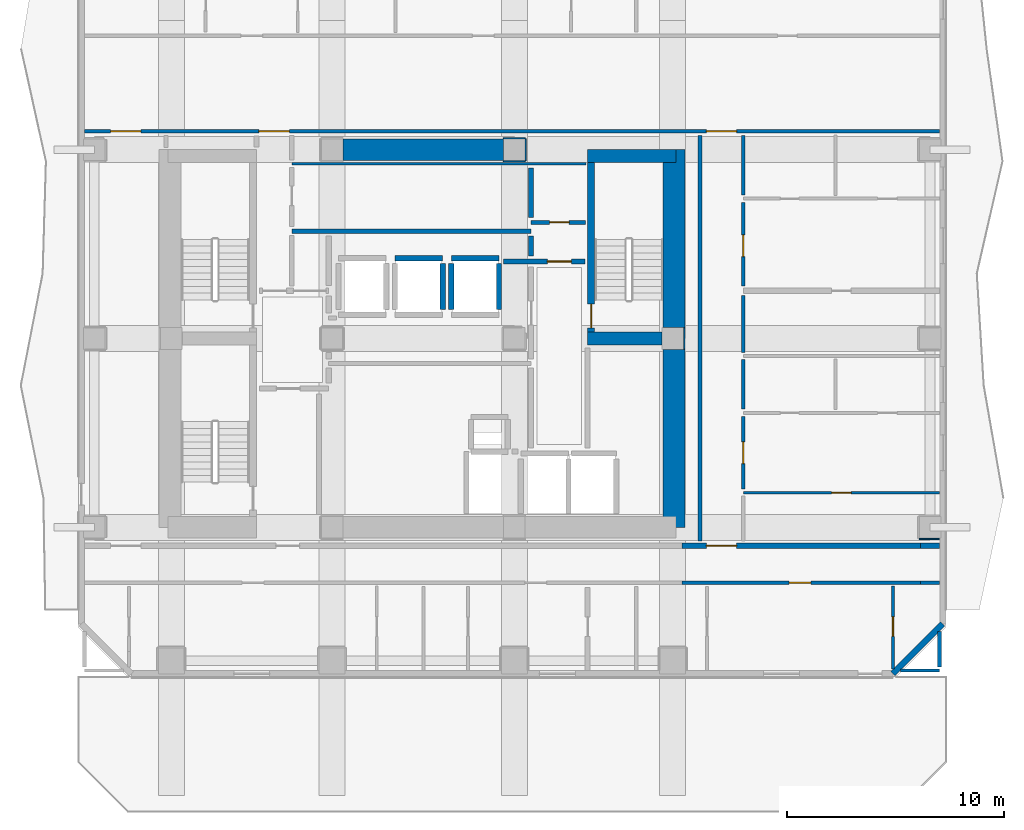
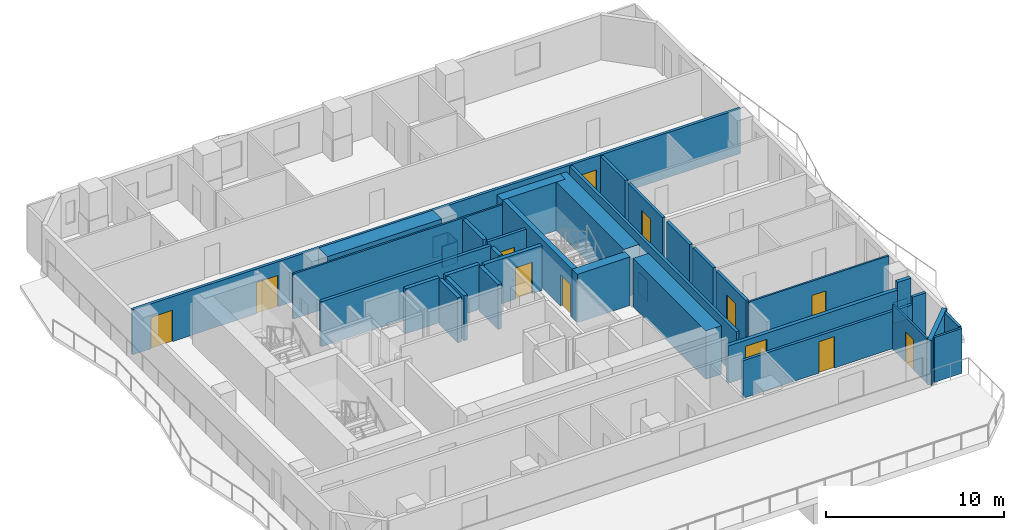
# One storey, part 4 of 9: 38 walls, 12 doors, 12 openings.
"""IFC4 building model written with IfcOpenShell, lengths in metres."""

from ifc_helpers import new_model, si_unit, direction, frame, frame_2d, origin, place, context, subcontext, project, spatial, rectangle, extrude, material, layer, layer_set, type_object, element, fill, save


model = new_model("IFC4")

# Units and contexts
model_context = context("Model", 3, precision=1e-05, world=origin(), true_north=direction((0.0, 1.0)))
body_context = subcontext(model_context, "Body", "Model", "MODEL_VIEW")
ifc_project = project(units=[si_unit("LENGTHUNIT", "METRE"), si_unit("AREAUNIT", "SQUARE_METRE"), si_unit("VOLUMEUNIT", "CUBIC_METRE"), si_unit("PLANEANGLEUNIT", "RADIAN"), si_unit("MASSUNIT", "GRAM", prefix="KILO")], contexts=[model_context])

# Site, building, storey
site_placement = place(None, origin())
site = spatial("IfcSite", under=ifc_project, at=site_placement, CompositionType="ELEMENT")
building_placement = place(site_placement, origin())
building = spatial("IfcBuilding", under=site, at=building_placement, Name="Solanera Arch Residences", CompositionType="ELEMENT")
storey_placement = place(building_placement, frame((0.0, 0.0, 145.919921875)))
storey = spatial("IfcBuildingStorey", under=building, at=storey_placement, Name="L42", CompositionType="ELEMENT", Elevation=145.919921875)

# Walls
ifc_material_1 = material(Name="Fire-Rated Gypsum Stud Partition", Category="gypsum")
ifc_layer_1 = layer(ifc_material_1, 0.06005859375)
ifc_layer_set_1 = layer_set([ifc_layer_1], Name="Fire-Rated Gypsum Stud Partition")
wall_type_1 = type_object("IfcWallType", Name="Column Acoustic Furring Wall 60", PredefinedType="PARTITIONING", material=ifc_layer_set_1)
for number, where, z_axis, x_axis, name in (
    (1, (28.699951171875, 38.867919921875, 0.0), (0.0, 0.0, 1.0), (1.0, 0.0, 0.0), "L42 Column Furring 4S"),
    (2, (28.699951171875, 39.931884765625, 0.0), (0.0, 0.0, 1.0), (1.0, 0.0, 0.0), "L42 Column Furring 4N"),
    (3, (29.73193359375, 38.89990234375, 0.0), (0.0, 0.0, 1.0), (0.0, 1.0, 0.0), "L42 Column Furring 4E"),
):
    element("IfcWall", number, at=place(storey_placement, frame(where, z_axis=z_axis, x_axis=x_axis)), inside=storey, type_object=wall_type_1, Name=name, PredefinedType="PARTITIONING", context=body_context, shape_type="SweptSolid", body=[
        extrude(rectangle(XDim=1.0, YDim=0.06005859375, at=frame_2d((0.5, 0.0))), origin(), (0.0, 0.0, 1.0), 1.4501953125),
    ])
wall_1_placement = place(storey_placement, frame((37.031982421875, 30.2099609375, 0.0), z_axis=(0.0, 0.0, 1.0), x_axis=(0.0, 1.0, 0.0)))
element("IfcWall", 4, at=wall_1_placement, inside=storey, type_object=wall_type_1, Name="L42 Column Furring 6E", PredefinedType="PARTITIONING", context=body_context, shape_type="SweptSolid", body=[
    extrude(rectangle(XDim=0.97998046875, YDim=0.06005859375, at=frame_2d((0.489990234375, 0.0))), origin(), (0.0, 0.0, 1.0), 1.4501953125),
])
wall_2_placement = place(storey_placement, frame((47.85009765625, 21.468017578125, 0.0), z_axis=(0.0, 0.0, 1.0), x_axis=(1.0, 0.0, 0.0)))
element("IfcWall", 5, at=wall_2_placement, inside=storey, type_object=wall_type_1, Name="L42 Column Furring 18S", PredefinedType="PARTITIONING", context=body_context, shape_type="SweptSolid", body=[
    extrude(rectangle(XDim=0.93994140625, YDim=0.06005859375, at=frame_2d((0.469970703125, 0.0))), origin(), (0.0, 0.0, 1.0), 1.4501953125),
])
ifc_material_2 = material(Name="Concrete C55/67 (f'c = 60 MPa)", Category="concrete")
ifc_layer_2 = layer(ifc_material_2, 1.0)
ifc_layer_set_2 = layer_set([ifc_layer_2], Name="Concrete C55/67 (f'c = 60 MPa)")
wall_type_2 = type_object("IfcWallType", Name="Core Shear Wall CW-1000", PredefinedType="SHEAR", material=ifc_layer_set_2)
wall_3_placement = place(storey_placement, frame((36.56005859375, 22.0, 0.0), z_axis=(0.0, 0.0, 1.0), x_axis=(0.0, 1.0, 0.0)))
element("IfcWall", 6, at=wall_3_placement, inside=storey, type_object=wall_type_2, Name="L42 East Core South Shear Wall", PredefinedType="SHEAR", context=body_context, shape_type="SweptSolid", body=[
    extrude(rectangle(XDim=8.195068359375, YDim=1.0, at=frame_2d((4.09765625, 0.0))), origin(), (0.0, 0.0, 1.0), 3.320068359375),
])
wall_4_placement = place(storey_placement, frame((36.56005859375, 31.205078125, 0.0), z_axis=(0.0, 0.0, 1.0), x_axis=(0.0, 1.0, 0.0)))
element("IfcWall", 7, at=wall_4_placement, inside=storey, type_object=wall_type_2, Name="L42 East Core North Shear Wall", PredefinedType="SHEAR", context=body_context, shape_type="SweptSolid", body=[
    extrude(rectangle(XDim=8.19482421875, YDim=1.0, at=frame_2d((4.097412109375, 0.0))), origin(), (0.0, 0.0, 1.0), 3.320068359375),
])
wall_5_placement = place(storey_placement, frame((21.304931640625, 39.39990234375, 0.0), z_axis=(0.0, 0.0, 1.0), x_axis=(1.0, 0.0, 0.0)))
element("IfcWall", 8, at=wall_5_placement, inside=storey, type_object=wall_type_2, Name="L42 Central North Core Shear Wall", PredefinedType="SHEAR", context=body_context, shape_type="SweptSolid", body=[
    extrude(rectangle(XDim=7.39013671875, YDim=1.0, at=frame_2d((3.695068359375, 0.0))), origin(), (0.0, 0.0, 1.0), 3.320068359375),
])

# Wall, opening, door
ifc_material_3 = material(Name="Concrete C40/50 (f'c = 45 MPa)", Category="concrete")
ifc_layer_3 = layer(ifc_material_3, 0.320068359375)
ifc_layer_set_3 = layer_set([ifc_layer_3], Name="Concrete C40/50 (f'c = 45 MPa)")
wall_type_3 = type_object("IfcWallType", Name="Core Shear Wall CW-320", PredefinedType="SHEAR", material=ifc_layer_set_3)
wall_6_placement = place(storey_placement, frame((32.739990234375, 31.0, 0.0), z_axis=(0.0, 0.0, 1.0), x_axis=(0.0, 1.0, 0.0)))
wall_6 = element("IfcWall", 9, at=wall_6_placement, inside=storey, type_object=wall_type_3, Name="L42 Stair ST-T2 West Shear Wall", PredefinedType="SHEAR", context=body_context, shape_type="SweptSolid", body=[
    extrude(rectangle(XDim=7.800048828125, YDim=0.320068359375, at=frame_2d((3.89990234375, 0.0))), origin(), (0.0, 0.0, 1.0), 3.320068359375),
])
opening_1_placement = place(wall_6_placement, frame((0.18994140625, 0.0, 0.0)))
opening_1 = element("IfcOpeningElement", 10, at=opening_1_placement, cuts=wall_6, Name="Opening DF-01", PredefinedType="OPENING", context=body_context, shape_type="SweptSolid", body=[
    extrude(rectangle(XDim=1.10009765625, YDim=2.14990234375, at=frame_2d((0.550048828125, 1.074951171875))), frame((0.0, 0.169921875, 0.0), z_axis=(0.0, -1.0, 0.0), x_axis=(1.0, 0.0, 0.0)), (0.0, 0.0, 1.0), 0.3401),
])
ifc_material_4 = material(Name="Fire-Rated Architectural Hardwood", Category="wood")
door_type_1 = type_object("IfcDoorType", Name="Stair Exit Fire Door DF-01", OperationType="NOTDEFINED", PredefinedType="DOOR", material=ifc_material_4)
door_1_placement = place(opening_1_placement, origin())
door_1 = element("IfcDoor", 11, at=door_1_placement, inside=storey, type_object=door_type_1, Name="DR-L42-STAIR-ST-T2", OperationType="SINGLE_SWING_LEFT", OverallHeight=2.14990234375, OverallWidth=1.10009765625, PredefinedType="DOOR", context=body_context, shape_type="SweptSolid", body=[
    extrude(rectangle(XDim=1.10009765625, YDim=2.14990234375, at=frame_2d((0.550048828125, 1.074951171875))), frame((0.0, 0.02490234375, 0.0), z_axis=(0.0, -1.0, 0.0), x_axis=(1.0, 0.0, 0.0)), (0.0, 0.0, 1.0), 0.050048828125),
])
fill(opening_1, door_1)

# Walls
ifc_material_5 = material(Name="Concrete C40/50 (f'c = 45 MPa)", Category="concrete")
ifc_layer_4 = layer(ifc_material_5, 0.60009765625)
ifc_layer_set_4 = layer_set([ifc_layer_4], Name="Concrete C40/50 (f'c = 45 MPa)")
wall_type_4 = type_object("IfcWallType", Name="Core Shear Wall CW-600", PredefinedType="SHEAR", material=ifc_layer_set_4)
wall_7_placement = place(storey_placement, frame((32.580078125, 39.10009765625, 0.0), z_axis=(0.0, 0.0, 1.0), x_axis=(1.0, 0.0, 0.0)))
element("IfcWall", 12, at=wall_7_placement, inside=storey, type_object=wall_type_4, Name="L42 North-East Core Shear Wall", PredefinedType="SHEAR", context=body_context, shape_type="SweptSolid", body=[
    extrude(rectangle(XDim=4.079833984375, YDim=0.60009765625, at=frame_2d((2.0400390625, 0.0))), origin(), (0.0, 0.0, 1.0), 3.320068359375),
])
wall_8_placement = place(storey_placement, frame((32.580078125, 30.699951171875, 0.0), z_axis=(0.0, 0.0, 1.0), x_axis=(1.0, 0.0, 0.0)))
element("IfcWall", 13, at=wall_8_placement, inside=storey, type_object=wall_type_4, Name="L42 East Stair Far-Landing Shear Wall", PredefinedType="SHEAR", context=body_context, shape_type="SweptSolid", body=[
    extrude(rectangle(XDim=3.4150390625, YDim=0.60009765625, at=frame_2d((1.70751953125, 0.0))), origin(), (0.0, 0.0, 1.0), 3.320068359375),
])

# Wall, opening, door
ifc_material_6 = material(Name="Autoclaved Aerated Concrete Blockwork", Category="masonry")
ifc_layer_5 = layer(ifc_material_6, 0.179931640625)
ifc_layer_set_5 = layer_set([ifc_layer_5], Name="Autoclaved Aerated Concrete Blockwork")
wall_type_5 = type_object("IfcWallType", Name="Corridor Fire Partition 180", PredefinedType="PARTITIONING", material=ifc_layer_set_5)
wall_9_placement = place(storey_placement, frame((36.93896484375, 19.449951171875, 0.0), z_axis=(0.0, 0.0, 1.0), x_axis=(1.0, 0.0, 0.0)))
wall_9 = element("IfcWall", 14, at=wall_9_placement, inside=storey, type_object=wall_type_5, Name="L42 Interior Partition H8 2", PredefinedType="PARTITIONING", context=body_context, shape_type="SweptSolid", body=[
    extrude(rectangle(XDim=10.971923828125, YDim=0.179931640625, at=frame_2d((5.48583984375, 0.0))), origin(), (0.0, 0.0, 1.0), 2.565185546875),
])
opening_2_placement = place(wall_9_placement, frame((4.926025390625, 0.0, 0.0)))
opening_2 = element("IfcOpeningElement", 15, at=opening_2_placement, cuts=wall_9, Name="Opening DI-01", PredefinedType="OPENING", context=body_context, shape_type="SweptSolid", body=[
    extrude(rectangle(XDim=1.0, YDim=2.14990234375, at=frame_2d((0.5, 1.074951171875))), frame((0.0, 0.10009765625, 0.0), z_axis=(0.0, -1.0, 0.0), x_axis=(1.0, 0.0, 0.0)), (0.0, 0.0, 1.0), 0.1999),
])
ifc_material_7 = material(Name="Fire-Rated Architectural Hardwood", Category="wood")
door_type_2 = type_object("IfcDoorType", Name="Unit Entrance Fire Door DI-01", OperationType="NOTDEFINED", PredefinedType="DOOR", material=ifc_material_7)
door_2_placement = place(opening_2_placement, origin())
door_2 = element("IfcDoor", 16, at=door_2_placement, inside=storey, type_object=door_type_2, Name="DR-L42-IN-023", OperationType="SINGLE_SWING_RIGHT", OverallHeight=2.14990234375, OverallWidth=1.0, PredefinedType="DOOR", context=body_context, shape_type="SweptSolid", body=[
    extrude(rectangle(XDim=1.0, YDim=2.14990234375, at=frame_2d((0.5, 1.074951171875))), frame((0.0, 0.02490234375, 0.0), z_axis=(0.0, -1.0, 0.0), x_axis=(1.0, 0.0, 0.0)), (0.0, 0.0, 1.0), 0.050048828125),
])
fill(opening_2, door_2)

# Wall
wall_10_placement = place(storey_placement, frame((47.910888671875, 19.449951171875, 0.0), z_axis=(0.0, 0.0, 1.0), x_axis=(1.0, 0.0, 0.0)))
element("IfcWall", 17, at=wall_10_placement, inside=storey, type_object=wall_type_5, Name="L42 Interior Partition H8 3", PredefinedType="PARTITIONING", context=body_context, shape_type="SweptSolid", body=[
    extrude(rectangle(XDim=0.882080078125, YDim=0.179931640625, at=frame_2d((0.44091796875, 0.0))), origin(), (0.0, 0.0, 1.0), 3.080078125),
])

# Wall, opening, door
wall_11_placement = place(storey_placement, frame((29.97509765625, 36.050048828125, 0.0), z_axis=(0.0, 0.0, 1.0), x_axis=(1.0, 0.0, 0.0)))
wall_11 = element("IfcWall", 18, at=wall_11_placement, inside=storey, type_object=wall_type_5, Name="L42 Interior Partition H11", PredefinedType="PARTITIONING", context=body_context, shape_type="SweptSolid", body=[
    extrude(rectangle(XDim=2.5048828125, YDim=0.179931640625, at=frame_2d((1.25244140625, 0.0))), origin(), (0.0, 0.0, 1.0), 3.080078125),
])
opening_3_placement = place(wall_11_placement, frame((0.85205078125, 0.0, 0.0)))
opening_3 = element("IfcOpeningElement", 19, at=opening_3_placement, cuts=wall_11, Name="Opening DI-02", PredefinedType="OPENING", context=body_context, shape_type="SweptSolid", body=[
    extrude(rectangle(XDim=0.89990234375, YDim=2.10009765625, at=frame_2d((0.449951171875, 1.050048828125))), frame((0.0, 0.10009765625, 0.0), z_axis=(0.0, -1.0, 0.0), x_axis=(1.0, 0.0, 0.0)), (0.0, 0.0, 1.0), 0.1999),
])
ifc_material_8 = material(Name="Fire-Rated Architectural Hardwood", Category="wood")
door_type_3 = type_object("IfcDoorType", Name="Suite Room Swing Door DI-02", OperationType="NOTDEFINED", PredefinedType="DOOR", material=ifc_material_8)
door_3_placement = place(opening_3_placement, origin())
door_3 = element("IfcDoor", 20, at=door_3_placement, inside=storey, type_object=door_type_3, Name="DR-L42-IN-015", OperationType="SINGLE_SWING_RIGHT", OverallHeight=2.10009765625, OverallWidth=0.89990234375, PredefinedType="DOOR", context=body_context, shape_type="SweptSolid", body=[
    extrude(rectangle(XDim=0.89990234375, YDim=2.10009765625, at=frame_2d((0.449951171875, 1.050048828125))), frame((0.0, 0.02490234375, 0.0), z_axis=(0.0, -1.0, 0.0), x_axis=(1.0, 0.0, 0.0)), (0.0, 0.0, 1.0), 0.050048828125),
])
fill(opening_3, door_3)

# Wall, openings, doors
wall_12_placement = place(storey_placement, frame((9.406982421875, 40.25, 0.0), z_axis=(0.0, 0.0, 1.0), x_axis=(1.0, 0.0, 0.0)))
wall_12 = element("IfcWall", 21, at=wall_12_placement, inside=storey, type_object=wall_type_5, Name="L42 Interior Partition H12", PredefinedType="PARTITIONING", context=body_context, shape_type="SweptSolid", body=[
    extrude(rectangle(XDim=39.385986328125, YDim=0.179931640625, at=frame_2d((19.69287109375, 0.0))), origin(), (0.0, 0.0, 1.0), 3.080078125),
])
opening_4_placement = place(wall_12_placement, frame((8.028076171875, 0.0, 0.0)))
opening_4 = element("IfcOpeningElement", 22, at=opening_4_placement, cuts=wall_12, Name="Opening DF-03", PredefinedType="OPENING", context=body_context, shape_type="SweptSolid", body=[
    extrude(rectangle(XDim=1.39990234375, YDim=2.14990234375, at=frame_2d((0.699951171875, 1.074951171875))), frame((0.0, 0.10009765625, 0.0), z_axis=(0.0, -1.0, 0.0), x_axis=(1.0, 0.0, 0.0)), (0.0, 0.0, 1.0), 0.1999),
])
opening_5_placement = place(wall_12_placement, frame((1.19189453125, 0.0, 0.0)))
opening_5 = element("IfcOpeningElement", 23, at=opening_5_placement, cuts=wall_12, Name="Opening DF-03", PredefinedType="OPENING", context=body_context, shape_type="SweptSolid", body=[
    extrude(rectangle(XDim=1.39990234375, YDim=2.14990234375, at=frame_2d((0.699951171875, 1.074951171875))), frame((0.0, 0.10009765625, 0.0), z_axis=(0.0, -1.0, 0.0), x_axis=(1.0, 0.0, 0.0)), (0.0, 0.0, 1.0), 0.1999),
])
opening_6_placement = place(wall_12_placement, frame((28.64306640625, 0.0, 0.0)))
opening_6 = element("IfcOpeningElement", 24, at=opening_6_placement, cuts=wall_12, Name="Opening DF-03", PredefinedType="OPENING", context=body_context, shape_type="SweptSolid", body=[
    extrude(rectangle(XDim=1.39990234375, YDim=2.14990234375, at=frame_2d((0.699951171875, 1.074951171875))), frame((0.0, 0.10009765625, 0.0), z_axis=(0.0, -1.0, 0.0), x_axis=(1.0, 0.0, 0.0)), (0.0, 0.0, 1.0), 0.1999),
])
ifc_material_9 = material(Name="Fire-Rated Architectural Hardwood", Category="wood")
door_type_4 = type_object("IfcDoorType", Name="Corridor Smoke Door DF-03", OperationType="NOTDEFINED", PredefinedType="DOOR", material=ifc_material_9)
door_4_placement = place(opening_4_placement, origin())
door_4 = element("IfcDoor", 25, at=door_4_placement, inside=storey, type_object=door_type_4, Name="DR-L42-IN-009", OperationType="SINGLE_SWING_RIGHT", OverallHeight=2.14990234375, OverallWidth=1.39990234375, PredefinedType="DOOR", context=body_context, shape_type="SweptSolid", body=[
    extrude(rectangle(XDim=1.39990234375, YDim=2.14990234375, at=frame_2d((0.699951171875, 1.074951171875))), frame((0.0, 0.02490234375, 0.0), z_axis=(0.0, -1.0, 0.0), x_axis=(1.0, 0.0, 0.0)), (0.0, 0.0, 1.0), 0.050048828125),
])
fill(opening_4, door_4)
door_5_placement = place(opening_5_placement, origin())
door_5 = element("IfcDoor", 26, at=door_5_placement, inside=storey, type_object=door_type_4, Name="DR-L42-IN-012", OperationType="SINGLE_SWING_LEFT", OverallHeight=2.14990234375, OverallWidth=1.39990234375, PredefinedType="DOOR", context=body_context, shape_type="SweptSolid", body=[
    extrude(rectangle(XDim=1.39990234375, YDim=2.14990234375, at=frame_2d((0.699951171875, 1.074951171875))), frame((0.0, 0.02490234375, 0.0), z_axis=(0.0, -1.0, 0.0), x_axis=(1.0, 0.0, 0.0)), (0.0, 0.0, 1.0), 0.050048828125),
])
fill(opening_5, door_5)
door_6_placement = place(opening_6_placement, origin())
door_6 = element("IfcDoor", 27, at=door_6_placement, inside=storey, type_object=door_type_4, Name="DR-L42-IN-013", OperationType="SINGLE_SWING_RIGHT", OverallHeight=2.14990234375, OverallWidth=1.39990234375, PredefinedType="DOOR", context=body_context, shape_type="SweptSolid", body=[
    extrude(rectangle(XDim=1.39990234375, YDim=2.14990234375, at=frame_2d((0.699951171875, 1.074951171875))), frame((0.0, 0.02490234375, 0.0), z_axis=(0.0, -1.0, 0.0), x_axis=(1.0, 0.0, 0.0)), (0.0, 0.0, 1.0), 0.050048828125),
])
fill(opening_6, door_6)

# Wall
wall_13_placement = place(storey_placement, frame((37.75, 21.367919921875, 0.0), z_axis=(0.0, 0.0, 1.0), x_axis=(0.0, 1.0, 0.0)))
element("IfcWall", 28, at=wall_13_placement, inside=storey, type_object=wall_type_5, Name="L42 Interior Partition V11", PredefinedType="PARTITIONING", context=body_context, shape_type="SweptSolid", body=[
    extrude(rectangle(XDim=18.694091796875, YDim=0.179931640625, at=frame_2d((9.34716796875, 0.0))), origin(), (0.0, 0.0, 1.0), 3.080078125),
])

# Wall, opening, door
wall_14_placement = place(storey_placement, frame((39.75, 23.758056640625, 0.0), z_axis=(0.0, 0.0, 1.0), x_axis=(0.0, 1.0, 0.0)))
wall_14 = element("IfcWall", 29, at=wall_14_placement, inside=storey, type_object=wall_type_5, Name="L42 Interior Partition V12 2", PredefinedType="PARTITIONING", context=body_context, shape_type="SweptSolid", body=[
    extrude(rectangle(XDim=3.348876953125, YDim=0.179931640625, at=frame_2d((1.67431640625, 0.0))), origin(), (0.0, 0.0, 1.0), 3.080078125),
])
opening_7_placement = place(wall_14_placement, frame((1.179931640625, 0.0, 0.0)))
opening_7 = element("IfcOpeningElement", 30, at=opening_7_placement, cuts=wall_14, Name="Opening DI-01", PredefinedType="OPENING", context=body_context, shape_type="SweptSolid", body=[
    extrude(rectangle(XDim=1.0, YDim=2.14990234375, at=frame_2d((0.5, 1.074951171875))), frame((0.0, 0.10009765625, 0.0), z_axis=(0.0, -1.0, 0.0), x_axis=(1.0, 0.0, 0.0)), (0.0, 0.0, 1.0), 0.1999),
])
door_7_placement = place(opening_7_placement, origin())
door_7 = element("IfcDoor", 31, at=door_7_placement, inside=storey, type_object=door_type_2, Name="DR-L42-IN-035", OperationType="SINGLE_SWING_RIGHT", OverallHeight=2.14990234375, OverallWidth=1.0, PredefinedType="DOOR", context=body_context, shape_type="SweptSolid", body=[
    extrude(rectangle(XDim=1.0, YDim=2.14990234375, at=frame_2d((0.5, 1.074951171875))), frame((0.0, 0.02490234375, 0.0), z_axis=(0.0, -1.0, 0.0), x_axis=(1.0, 0.0, 0.0)), (0.0, 0.0, 1.0), 0.050048828125),
])
fill(opening_7, door_7)

# Walls
wall_15_placement = place(storey_placement, frame((39.75, 27.443115234375, 0.0), z_axis=(0.0, 0.0, 1.0), x_axis=(0.0, 1.0, 0.0)))
element("IfcWall", 32, at=wall_15_placement, inside=storey, type_object=wall_type_5, Name="L42 Interior Partition V12 3", PredefinedType="PARTITIONING", context=body_context, shape_type="SweptSolid", body=[
    extrude(rectangle(XDim=2.288818359375, YDim=0.179931640625, at=frame_2d((1.14453125, 0.0))), origin(), (0.0, 0.0, 1.0), 3.080078125),
])
wall_16_placement = place(storey_placement, frame((39.75, 30.068115234375, 0.0), z_axis=(0.0, 0.0, 1.0), x_axis=(0.0, 1.0, 0.0)))
element("IfcWall", 33, at=wall_16_placement, inside=storey, type_object=wall_type_5, Name="L42 Interior Partition V12 4", PredefinedType="PARTITIONING", context=body_context, shape_type="SweptSolid", body=[
    extrude(rectangle(XDim=2.61376953125, YDim=0.179931640625, at=frame_2d((1.306884765625, 0.0))), origin(), (0.0, 0.0, 1.0), 3.080078125),
])

# Wall, opening, door
wall_17_placement = place(storey_placement, frame((39.75, 33.117919921875, 0.0), z_axis=(0.0, 0.0, 1.0), x_axis=(0.0, 1.0, 0.0)))
wall_17 = element("IfcWall", 34, at=wall_17_placement, inside=storey, type_object=wall_type_5, Name="L42 Interior Partition V12 5", PredefinedType="PARTITIONING", context=body_context, shape_type="SweptSolid", body=[
    extrude(rectangle(XDim=3.859130859375, YDim=0.179931640625, at=frame_2d((1.9296875, 0.0))), origin(), (0.0, 0.0, 1.0), 3.080078125),
])
opening_8_placement = place(wall_17_placement, frame((1.35400390625, 0.0, 0.0)))
opening_8 = element("IfcOpeningElement", 35, at=opening_8_placement, cuts=wall_17, Name="Opening DI-01", PredefinedType="OPENING", context=body_context, shape_type="SweptSolid", body=[
    extrude(rectangle(XDim=1.0, YDim=2.14990234375, at=frame_2d((0.5, 1.074951171875))), frame((0.0, 0.10009765625, 0.0), z_axis=(0.0, -1.0, 0.0), x_axis=(1.0, 0.0, 0.0)), (0.0, 0.0, 1.0), 0.1999),
])
door_8_placement = place(opening_8_placement, origin())
door_8 = element("IfcDoor", 36, at=door_8_placement, inside=storey, type_object=door_type_2, Name="DR-L42-IN-039", OperationType="SINGLE_SWING_RIGHT", OverallHeight=2.14990234375, OverallWidth=1.0, PredefinedType="DOOR", context=body_context, shape_type="SweptSolid", body=[
    extrude(rectangle(XDim=1.0, YDim=2.14990234375, at=frame_2d((0.5, 1.074951171875))), frame((0.0, 0.02490234375, 0.0), z_axis=(0.0, -1.0, 0.0), x_axis=(1.0, 0.0, 0.0)), (0.0, 0.0, 1.0), 0.050048828125),
])
fill(opening_8, door_8)

# Walls
wall_18_placement = place(storey_placement, frame((39.75, 37.31298828125, 0.0), z_axis=(0.0, 0.0, 1.0), x_axis=(0.0, 1.0, 0.0)))
element("IfcWall", 37, at=wall_18_placement, inside=storey, type_object=wall_type_5, Name="L42 Interior Partition V12 6", PredefinedType="PARTITIONING", context=body_context, shape_type="SweptSolid", body=[
    extrude(rectangle(XDim=2.7490234375, YDim=0.179931640625, at=frame_2d((1.37451171875, 0.0))), origin(), (0.0, 0.0, 1.0), 3.080078125),
])
wall_19_placement = place(storey_placement, frame((48.800048828125, 15.568115234375, 0.0), z_axis=(0.0, 0.0, 1.0), x_axis=(0.0, 1.0, 0.0)))
element("IfcWall", 38, at=wall_19_placement, inside=storey, type_object=wall_type_5, Name="L42 Interior Partition V13 1", PredefinedType="PARTITIONING", context=body_context, shape_type="SweptSolid", body=[
    extrude(rectangle(XDim=1.626953125, YDim=0.179931640625, at=frame_2d((0.8134765625, 0.0))), origin(), (0.0, 0.0, 1.0), 3.080078125),
])
ifc_material_10 = material(Name="Precast Concrete C35/45", Category="concrete")
ifc_layer_6 = layer(ifc_material_10, 0.280029296875)
ifc_layer_set_6 = layer_set([ifc_layer_6], Name="Precast Concrete C35/45")
wall_type_6 = type_object("IfcWallType", Name="Exterior Wall Precast Masonry-Frame 280", PredefinedType="STANDARD", material=ifc_layer_set_6)
wall_20_placement = place(storey_placement, frame((48.945068359375, 17.554931640625, 0.0), z_axis=(0.0, 0.0, 1.0), x_axis=(-0.707106781187, -0.707106781187, 0.0)))
element("IfcWall", 39, at=wall_20_placement, inside=storey, type_object=wall_type_6, Name="L42 Tower Exterior Precast Masonry-Frame Wall CH5", PredefinedType="STANDARD", context=body_context, shape_type="SweptSolid", body=[
    extrude(rectangle(XDim=3.252685546875, YDim=0.280029296875, at=frame_2d((1.62646484375, 0.0))), origin(), (0.0, 0.0, 1.0), 3.080078125),
])
ifc_material_11 = material(Name="Autoclaved Aerated Concrete Blockwork", Category="masonry")
ifc_layer_7 = layer(ifc_material_11, 0.199951171875)
ifc_layer_set_7 = layer_set([ifc_layer_7], Name="Autoclaved Aerated Concrete Blockwork")
wall_type_7 = type_object("IfcWallType", Name="Party Wall Acoustic 200", PredefinedType="PARTITIONING", material=ifc_layer_set_7)
wall_21_placement = place(storey_placement, frame((18.949951171875, 35.64990234375, 0.0), z_axis=(0.0, 0.0, 1.0), x_axis=(1.0, 0.0, 0.0)))
element("IfcWall", 40, at=wall_21_placement, inside=storey, type_object=wall_type_7, Name="L42 Interior Partition H7", PredefinedType="PARTITIONING", context=body_context, shape_type="SweptSolid", body=[
    extrude(rectangle(XDim=11.025146484375, YDim=0.199951171875, at=frame_2d((5.5126953125, 0.0))), origin(), (0.0, 0.0, 1.0), 3.080078125),
])
ifc_material_12 = material(Name="Autoclaved Aerated Concrete Blockwork", Category="masonry")
ifc_layer_8 = layer(ifc_material_12, 0.239990234375)
ifc_layer_set_8 = layer_set([ifc_layer_8], Name="Autoclaved Aerated Concrete Blockwork")
wall_type_8 = type_object("IfcWallType", Name="Shaft Wall Fire-Rated 240", PredefinedType="PARTITIONING", material=ifc_layer_set_8)
wall_22_placement = place(storey_placement, frame((23.699951171875, 34.39990234375, 0.0), z_axis=(0.0, 0.0, 1.0), x_axis=(1.0, 0.0, 0.0)))
element("IfcWall", 41, at=wall_22_placement, inside=storey, type_object=wall_type_8, Name="L42 Lift PL-M2 Hoistway Wall N", PredefinedType="PARTITIONING", context=body_context, shape_type="SweptSolid", body=[
    extrude(rectangle(XDim=2.199951171875, YDim=0.239990234375, at=frame_2d((1.10009765625, 0.0))), origin(), (0.0, 0.0, 1.0), 3.080078125),
])
wall_23_placement = place(storey_placement, frame((25.89990234375, 32.048095703125, 0.0), z_axis=(0.0, 0.0, 1.0), x_axis=(0.0, 1.0, 0.0)))
element("IfcWall", 42, at=wall_23_placement, inside=storey, type_object=wall_type_8, Name="L42 Lift PL-M2 Hoistway Wall E", PredefinedType="PARTITIONING", context=body_context, shape_type="SweptSolid", body=[
    extrude(rectangle(XDim=2.10400390625, YDim=0.239990234375, at=frame_2d((1.052001953125, 0.0))), origin(), (0.0, 0.0, 1.0), 3.080078125),
])
wall_24_placement = place(storey_placement, frame((26.300048828125, 34.39990234375, 0.0), z_axis=(0.0, 0.0, 1.0), x_axis=(1.0, 0.0, 0.0)))
element("IfcWall", 43, at=wall_24_placement, inside=storey, type_object=wall_type_8, Name="L42 Lift PL-M3 Hoistway Wall N", PredefinedType="PARTITIONING", context=body_context, shape_type="SweptSolid", body=[
    extrude(rectangle(XDim=2.199951171875, YDim=0.239990234375, at=frame_2d((1.10009765625, 0.0))), origin(), (0.0, 0.0, 1.0), 3.080078125),
])
for number, where, z_axis, x_axis, name in (
    (44, (26.300048828125, 32.048095703125, 0.0), (0.0, 0.0, 1.0), (0.0, 1.0, 0.0), "L42 Lift PL-M3 Hoistway Wall W"),
    (45, (28.5, 32.048095703125, 0.0), (0.0, 0.0, 1.0), (0.0, 1.0, 0.0), "L42 Lift PL-M3 Hoistway Wall E"),
):
    element("IfcWall", number, at=place(storey_placement, frame(where, z_axis=z_axis, x_axis=x_axis)), inside=storey, type_object=wall_type_8, Name=name, PredefinedType="PARTITIONING", context=body_context, shape_type="SweptSolid", body=[
        extrude(rectangle(XDim=2.10400390625, YDim=0.239990234375, at=frame_2d((1.052001953125, 0.0))), origin(), (0.0, 0.0, 1.0), 3.080078125),
    ])

# Wall, opening, door
wall_25_placement = place(storey_placement, frame((36.93896484375, 21.14990234375, 0.0), z_axis=(0.0, 0.0, 1.0), x_axis=(1.0, 0.0, 0.0)))
wall_25 = element("IfcWall", 46, at=wall_25_placement, inside=storey, type_object=wall_type_8, Name="L42 Interior Partition H1 2", PredefinedType="PARTITIONING", context=body_context, shape_type="SweptSolid", body=[
    extrude(rectangle(XDim=10.971923828125, YDim=0.239990234375, at=frame_2d((5.48583984375, 0.0))), origin(), (0.0, 0.0, 1.0), 2.565185546875),
])
opening_9_placement = place(wall_25_placement, frame((1.111083984375, 0.0, 0.0)))
opening_9 = element("IfcOpeningElement", 47, at=opening_9_placement, cuts=wall_25, Name="Opening DF-03", PredefinedType="OPENING", context=body_context, shape_type="SweptSolid", body=[
    extrude(rectangle(XDim=1.39990234375, YDim=2.14990234375, at=frame_2d((0.699951171875, 1.074951171875))), frame((0.0, 0.1298828125, 0.0), z_axis=(0.0, -1.0, 0.0), x_axis=(1.0, 0.0, 0.0)), (0.0, 0.0, 1.0), 0.26),
])
door_9_placement = place(opening_9_placement, origin())
door_9 = element("IfcDoor", 48, at=door_9_placement, inside=storey, type_object=door_type_4, Name="DR-L42-IN-011", OperationType="SINGLE_SWING_RIGHT", OverallHeight=2.14990234375, OverallWidth=1.39990234375, PredefinedType="DOOR", context=body_context, shape_type="SweptSolid", body=[
    extrude(rectangle(XDim=1.39990234375, YDim=2.14990234375, at=frame_2d((0.699951171875, 1.074951171875))), frame((0.0, 0.02490234375, 0.0), z_axis=(0.0, -1.0, 0.0), x_axis=(1.0, 0.0, 0.0)), (0.0, 0.0, 1.0), 0.050048828125),
])
fill(opening_9, door_9)

# Wall
wall_26_placement = place(storey_placement, frame((47.910888671875, 21.14990234375, 0.0), z_axis=(0.0, 0.0, 1.0), x_axis=(1.0, 0.0, 0.0)))
element("IfcWall", 49, at=wall_26_placement, inside=storey, type_object=wall_type_8, Name="L42 Interior Partition H1 3", PredefinedType="PARTITIONING", context=body_context, shape_type="SweptSolid", body=[
    extrude(rectangle(XDim=0.882080078125, YDim=0.239990234375, at=frame_2d((0.44091796875, 0.0))), origin(), (0.0, 0.0, 1.0), 3.080078125),
])

# Wall, opening, door
wall_27_placement = place(storey_placement, frame((28.701904296875, 34.25, 0.0), z_axis=(0.0, 0.0, 1.0), x_axis=(1.0, 0.0, 0.0)))
wall_27 = element("IfcWall", 50, at=wall_27_placement, inside=storey, type_object=wall_type_8, Name="L42 Interior Partition H6", PredefinedType="PARTITIONING", context=body_context, shape_type="SweptSolid", body=[
    extrude(rectangle(XDim=3.748046875, YDim=0.239990234375, at=frame_2d((1.8740234375, 0.0))), origin(), (0.0, 0.0, 1.0), 3.080078125),
])
opening_10_placement = place(wall_27_placement, frame((2.02490234375, 0.0, 0.0)))
opening_10 = element("IfcOpeningElement", 51, at=opening_10_placement, cuts=wall_27, Name="Opening DF-02", PredefinedType="OPENING", context=body_context, shape_type="SweptSolid", body=[
    extrude(rectangle(XDim=1.10009765625, YDim=2.14990234375, at=frame_2d((0.550048828125, 1.074951171875))), frame((0.0, 0.1298828125, 0.0), z_axis=(0.0, -1.0, 0.0), x_axis=(1.0, 0.0, 0.0)), (0.0, 0.0, 1.0), 0.26),
])
ifc_material_13 = material(Name="Fire-Rated Architectural Hardwood", Category="wood")
door_type_5 = type_object("IfcDoorType", Name="Firefighting Lobby Fire Door DF-02", OperationType="NOTDEFINED", PredefinedType="DOOR", material=ifc_material_13)
door_10_placement = place(opening_10_placement, origin())
door_10 = element("IfcDoor", 52, at=door_10_placement, inside=storey, type_object=door_type_5, Name="DR-L42-IN-007", OperationType="SINGLE_SWING_RIGHT", OverallHeight=2.14990234375, OverallWidth=1.10009765625, PredefinedType="DOOR", context=body_context, shape_type="SweptSolid", body=[
    extrude(rectangle(XDim=1.10009765625, YDim=2.14990234375, at=frame_2d((0.550048828125, 1.074951171875))), frame((0.0, 0.02490234375, 0.0), z_axis=(0.0, -1.0, 0.0), x_axis=(1.0, 0.0, 0.0)), (0.0, 0.0, 1.0), 0.050048828125),
])
fill(opening_10, door_10)

# Walls
wall_28_placement = place(storey_placement, frame((29.97509765625, 34.498046875, 0.0), z_axis=(0.0, 0.0, 1.0), x_axis=(0.0, 1.0, 0.0)))
element("IfcWall", 53, at=wall_28_placement, inside=storey, type_object=wall_type_8, Name="L42 Interior Partition V4 3", PredefinedType="PARTITIONING", context=body_context, shape_type="SweptSolid", body=[
    extrude(rectangle(XDim=0.924072265625, YDim=0.239990234375, at=frame_2d((0.4619140625, 0.0))), origin(), (0.0, 0.0, 1.0), 3.080078125),
])
wall_29_placement = place(storey_placement, frame((29.97509765625, 36.26806640625, 0.0), z_axis=(0.0, 0.0, 1.0), x_axis=(0.0, 1.0, 0.0)))
element("IfcWall", 54, at=wall_29_placement, inside=storey, type_object=wall_type_8, Name="L42 Interior Partition V4 4", PredefinedType="PARTITIONING", context=body_context, shape_type="SweptSolid", body=[
    extrude(rectangle(XDim=2.2939453125, YDim=0.239990234375, at=frame_2d((1.14697265625, 0.0))), origin(), (0.0, 0.0, 1.0), 3.080078125),
])

# Wall, opening, door
ifc_material_14 = material(Name="Fire-Rated Gypsum Stud Partition", Category="gypsum")
ifc_layer_9 = layer(ifc_material_14, 0.1201171875)
ifc_layer_set_9 = layer_set([ifc_layer_9], Name="Fire-Rated Gypsum Stud Partition")
wall_type_9 = type_object("IfcWallType", Name="Unit Drywall Partition 120", PredefinedType="PARTITIONING", material=ifc_layer_set_9)
wall_30_placement = place(storey_placement, frame((39.75, 23.60009765625, 0.0), z_axis=(0.0, 0.0, 1.0), x_axis=(1.0, 0.0, 0.0)))
wall_30 = element("IfcWall", 55, at=wall_30_placement, inside=storey, type_object=wall_type_9, Name="L42 Interior Partition H22", PredefinedType="PARTITIONING", context=body_context, shape_type="SweptSolid", body=[
    extrude(rectangle(XDim=9.04296875, YDim=0.1201171875, at=frame_2d((4.521484375, 0.0))), origin(), (0.0, 0.0, 1.0), 3.080078125),
])
opening_11_placement = place(wall_30_placement, frame((4.074951171875, 0.0, 0.0)))
opening_11 = element("IfcOpeningElement", 56, at=opening_11_placement, cuts=wall_30, Name="Opening DI-02", PredefinedType="OPENING", context=body_context, shape_type="SweptSolid", body=[
    extrude(rectangle(XDim=0.89990234375, YDim=2.10009765625, at=frame_2d((0.449951171875, 1.050048828125))), frame((0.0, 0.070068359375, 0.0), z_axis=(0.0, -1.0, 0.0), x_axis=(1.0, 0.0, 0.0)), (0.0, 0.0, 1.0), 0.1401),
])
door_11_placement = place(opening_11_placement, origin())
door_11 = element("IfcDoor", 57, at=door_11_placement, inside=storey, type_object=door_type_3, Name="DR-L42-IN-036", OperationType="SINGLE_SWING_LEFT", OverallHeight=2.10009765625, OverallWidth=0.89990234375, PredefinedType="DOOR", context=body_context, shape_type="SweptSolid", body=[
    extrude(rectangle(XDim=0.89990234375, YDim=2.10009765625, at=frame_2d((0.449951171875, 1.050048828125))), frame((0.0, 0.02490234375, 0.0), z_axis=(0.0, -1.0, 0.0), x_axis=(1.0, 0.0, 0.0)), (0.0, 0.0, 1.0), 0.050048828125),
])
fill(opening_11, door_11)

# Wall
wall_31_placement = place(storey_placement, frame((18.949951171875, 38.75, 0.0), z_axis=(0.0, 0.0, 1.0), x_axis=(1.0, 0.0, 0.0)))
element("IfcWall", 58, at=wall_31_placement, inside=storey, type_object=wall_type_9, Name="L42 Interior Partition H23", PredefinedType="PARTITIONING", context=body_context, shape_type="SweptSolid", body=[
    extrude(rectangle(XDim=13.56005859375, YDim=0.1201171875, at=frame_2d((6.780029296875, 0.0))), origin(), (0.0, 0.0, 1.0), 3.080078125),
])

# Wall, opening, door
wall_32_placement = place(storey_placement, frame((46.64990234375, 15.47509765625, 0.0), z_axis=(0.0, 0.0, 1.0), x_axis=(0.0, 1.0, 0.0)))
wall_32 = element("IfcWall", 59, at=wall_32_placement, inside=storey, type_object=wall_type_9, Name="L42 Interior Partition V27", PredefinedType="PARTITIONING", context=body_context, shape_type="SweptSolid", body=[
    extrude(rectangle(XDim=3.81689453125, YDim=0.1201171875, at=frame_2d((1.908447265625, 0.0))), origin(), (0.0, 0.0, 1.0), 3.080078125),
])
opening_12_placement = place(wall_32_placement, frame((1.5, 0.0, 0.0)))
opening_12 = element("IfcOpeningElement", 60, at=opening_12_placement, cuts=wall_32, Name="Opening DI-02", PredefinedType="OPENING", context=body_context, shape_type="SweptSolid", body=[
    extrude(rectangle(XDim=0.89990234375, YDim=2.10009765625, at=frame_2d((0.449951171875, 1.050048828125))), frame((0.0, 0.070068359375, 0.0), z_axis=(0.0, -1.0, 0.0), x_axis=(1.0, 0.0, 0.0)), (0.0, 0.0, 1.0), 0.1401),
])
door_12_placement = place(opening_12_placement, origin())
door_12 = element("IfcDoor", 61, at=door_12_placement, inside=storey, type_object=door_type_3, Name="DR-L42-IN-025", OperationType="SINGLE_SWING_RIGHT", OverallHeight=2.10009765625, OverallWidth=0.89990234375, PredefinedType="DOOR", context=body_context, shape_type="SweptSolid", body=[
    extrude(rectangle(XDim=0.89990234375, YDim=2.10009765625, at=frame_2d((0.449951171875, 1.050048828125))), frame((0.0, 0.02490234375, 0.0), z_axis=(0.0, -1.0, 0.0), x_axis=(1.0, 0.0, 0.0)), (0.0, 0.0, 1.0), 0.050048828125),
])
fill(opening_12, door_12)

# Wall
ifc_material_15 = material(Name="Autoclaved Aerated Concrete Blockwork", Category="masonry")
ifc_layer_10 = layer(ifc_material_15, 0.139892578125)
ifc_layer_set_10 = layer_set([ifc_layer_10], Name="Autoclaved Aerated Concrete Blockwork")
wall_type_10 = type_object("IfcWallType", Name="Wet-Room Partition 140", PredefinedType="PARTITIONING", material=ifc_layer_set_10)
wall_33_placement = place(storey_placement, frame((47.0048828125, 15.39990234375, 0.0), z_axis=(0.0, 0.0, 1.0), x_axis=(1.0, 0.0, 0.0)))
element("IfcWall", 62, at=wall_33_placement, inside=storey, type_object=wall_type_10, Name="L42 Interior Partition H14 2", PredefinedType="PARTITIONING", context=body_context, shape_type="SweptSolid", body=[
    extrude(rectangle(XDim=1.795166015625, YDim=0.139892578125, at=frame_2d((0.8974609375, 0.0))), origin(), (0.0, 0.0, 1.0), 3.080078125),
])

save(model, "model.ifc")
